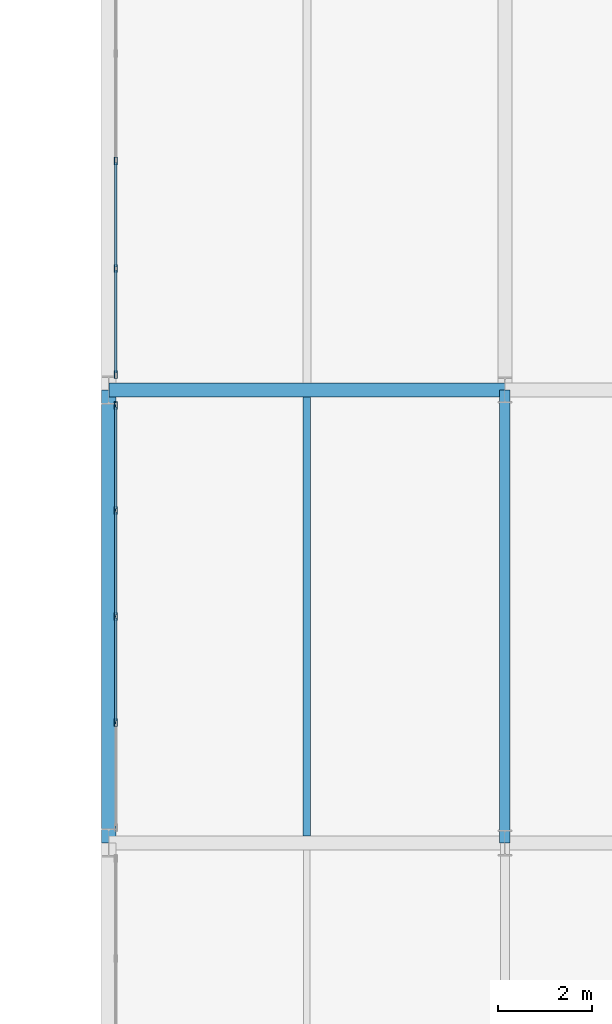
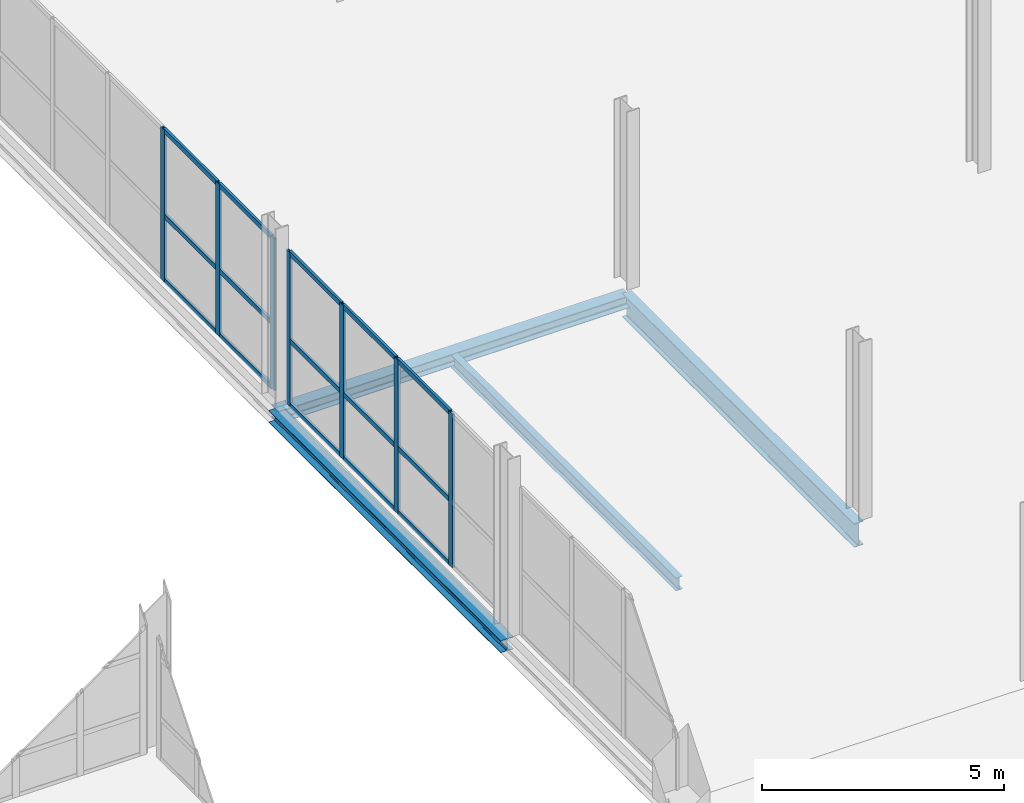
# One storey, part 29 of 109: 22 members, 4 beams, 2 elements without a shape of their own.
"""IFC4 building model written with IfcOpenShell, lengths in metres."""

import ifcopenshell
import ifcopenshell.guid

model = None  # the IFC model being written
_history = None  # IfcOwnerHistory: only IFC2X3 demands one
_inside = {}  # id of a spatial element -> (the spatial element, [elements in it])
_under = {}  # id of a project, library or spatial element -> (it, [spatial elements below it])
_declared = {}  # id of a project -> (the project, [libraries it declares])
_typed = {}  # id of a type object -> (the type object, [elements of that type])
_made_of = {}  # id of a material, layer set ... -> (it, [elements and type objects made of it])


def new_model(schema):
    """Start an empty IFC model of exactly this schema.

    Asked for "IFC4X3", IfcOpenShell would pick the latest addendum, in which some entities
    have other attributes; the version numbers below select the first issue.
    IFC2X3 requires an IfcOwnerHistory on every rooted entity: one is made here for all.
    """
    global model, _history
    if schema == "IFC4X3":
        model = ifcopenshell.file(schema_version=(4, 3, 0, 0))
    else:
        model = ifcopenshell.file(schema=schema)
    _inside.clear()
    _under.clear()
    _declared.clear()
    _typed.clear()
    _made_of.clear()
    _history = None
    if model.schema == "IFC2X3":
        org = make("IfcOrganization", Name="unknown")
        user = make(
            "IfcPersonAndOrganization",
            ThePerson=make("IfcPerson", FamilyName="unknown"),
            TheOrganization=org,
        )
        app = make(
            "IfcApplication",
            ApplicationDeveloper=org,
            Version="unknown",
            ApplicationFullName="unknown",
            ApplicationIdentifier="unknown",
        )
        _history = make(
            "IfcOwnerHistory",
            OwningUser=user,
            OwningApplication=app,
            ChangeAction="ADDED",
            CreationDate=0,
        )
    return model


def make(cls, **values):
    """One entity of the class cls with the attributes given. An attribute that is None is left unset."""
    return model.create_entity(
        cls, **{name: value for name, value in values.items() if value is not None}
    )


def rooted(cls, **values):
    """An entity with a GlobalId (a new one), such as an element, a storey or a relation."""
    return make(cls, GlobalId=ifcopenshell.guid.new(), OwnerHistory=_history, **values)


def si_unit(unit_type, name, prefix=None):
    """IfcSIUnit, for example si_unit("LENGTHUNIT", "METRE", prefix="MILLI")."""
    return make("IfcSIUnit", UnitType=unit_type, Prefix=prefix, Name=name)


def assignment(units):
    """IfcUnitAssignment: the units of a project."""
    return None if units is None else make("IfcUnitAssignment", Units=units)


def point(xyz):
    """IfcCartesianPoint."""
    return None if xyz is None else make("IfcCartesianPoint", Coordinates=xyz)


def direction(xyz):
    """IfcDirection."""
    return None if xyz is None else make("IfcDirection", DirectionRatios=xyz)


def frame(location, z_axis=None, x_axis=None):
    """IfcAxis2Placement3D, a coordinate frame: its origin and axes. An axis left out is left unset."""
    return make(
        "IfcAxis2Placement3D",
        Location=point(location),
        Axis=direction(z_axis),
        RefDirection=direction(x_axis),
    )


def frame_2d(location, x_axis=None):
    """IfcAxis2Placement2D, a coordinate frame in the plane: its origin and x axis."""
    return make(
        "IfcAxis2Placement2D", Location=point(location), RefDirection=direction(x_axis)
    )


def origin():
    """The frame at (0, 0, 0) with its axes left unset."""
    return frame((0.0, 0.0, 0.0))


def origin_2d():
    """The frame at (0, 0) in the plane with its x axis left unset."""
    return frame_2d((0.0, 0.0))


def place(relative_to, where):
    """IfcLocalPlacement: puts the frame where relative to a parent placement (None: the world)."""
    return make(
        "IfcLocalPlacement", PlacementRelTo=relative_to, RelativePlacement=where
    )


def context(
    kind, dimensions, precision=None, world=None, true_north=None, identifier=None
):
    """IfcGeometricRepresentationContext, for example the 3D "Model" context."""
    return make(
        "IfcGeometricRepresentationContext",
        ContextIdentifier=identifier,
        ContextType=kind,
        CoordinateSpaceDimension=dimensions,
        Precision=precision,
        WorldCoordinateSystem=world,
        TrueNorth=true_north,
    )


def subcontext(parent, identifier, kind, view, scale=None):
    """IfcGeometricRepresentationSubContext, for example "Body" below "Model"."""
    return make(
        "IfcGeometricRepresentationSubContext",
        ContextIdentifier=identifier,
        ContextType=kind,
        ParentContext=parent,
        TargetScale=scale,
        TargetView=view,
    )


def project(units=None, contexts=None):
    """IfcProject with its units and contexts."""
    return rooted(
        "IfcProject",
        Name="project",
        RepresentationContexts=contexts,
        UnitsInContext=assignment(units),
    )


def spatial(cls, under=None, at=None, **own):
    """A site, building, storey or space (cls), placed at a placement, below another one or the project."""
    s = rooted(cls, ObjectPlacement=at, **own)
    if under is not None:
        _under.setdefault(under.id(), (under, []))[1].append(s)
    return s


def profile(cls, at=None, kind="AREA", **sizes):
    """A parametric profile (cls). Its sizes go by their IFC names, for example OverallWidth=200.0."""
    return make(cls, ProfileType=kind, Position=at, **sizes)


def hollow_rectangle(**sizes):
    """IfcRectangleHollowProfileDef."""
    return profile("IfcRectangleHollowProfileDef", **sizes)


def i_section(**sizes):
    """IfcIShapeProfileDef."""
    return profile("IfcIShapeProfileDef", **sizes)


def extrude(swept, where, along, depth):
    """IfcExtrudedAreaSolid: the profile swept, set in the frame where, extruded along a direction by depth."""
    return make(
        "IfcExtrudedAreaSolid",
        SweptArea=swept,
        Position=where,
        ExtrudedDirection=direction(along),
        Depth=depth,
    )


def shape(context_of_items, identifier, shape_type, items):
    """IfcShapeRepresentation: the items that make up one representation, for example the "Body"."""
    return make(
        "IfcShapeRepresentation",
        ContextOfItems=context_of_items,
        RepresentationIdentifier=identifier,
        RepresentationType=shape_type,
        Items=items,
    )


def material(Name=None, Category=None):
    """IfcMaterial."""
    return make("IfcMaterial", Name=Name, Category=Category)


def material_profile(
    of_material, cross_section, Name=None, Category=None, Priority=None
):
    """IfcMaterialProfile: a cross section and its material."""
    return make(
        "IfcMaterialProfile",
        Name=Name,
        Material=of_material,
        Profile=cross_section,
        Priority=Priority,
        Category=Category,
    )


def profile_set(profiles, Name=None, composite=None):
    """IfcMaterialProfileSet."""
    return make(
        "IfcMaterialProfileSet",
        Name=Name,
        MaterialProfiles=profiles,
        CompositeProfile=composite,
    )


def made_of(thing, what):
    """Note that an element or type object is made of a material, layer set ...; save() writes the relation."""
    if what is not None:
        _made_of.setdefault(what.id(), (what, []))[1].append(thing)
    return thing


def type_object(cls, material=None, **own):
    """A type object (cls), such as IfcWallType, which elements share."""
    return made_of(rooted(cls, **own), material)


def element(
    cls,
    number,
    at=None,
    inside=None,
    cuts=None,
    type_object=None,
    material=None,
    context=None,
    identifier="Body",
    shape_type=None,
    held_by="IfcProductDefinitionShape",
    body=None,
    shapes=None,
    **own,
):
    """One element of the class cls, such as IfcWall. Its Tag is "e" and its number.

    at: its placement. inside: the storey or other place that contains it. cuts: it is an
    opening in that element (IfcRelVoidsElement). A single representation is given by context,
    identifier, shape_type and body (its items); several are given by shapes. held_by: the class
    of the entity that holds the representations. save() writes the other relations.
    """
    e = rooted(cls, Tag="e%d" % number, ObjectPlacement=at, **own)
    if body is not None:
        shapes = [shape(context, identifier, shape_type, body)]
    if shapes is not None:
        e.Representation = make(held_by, Representations=shapes)
    if inside is not None:
        _inside.setdefault(inside.id(), (inside, []))[1].append(e)
    if cuts is not None:
        rooted(
            "IfcRelVoidsElement", RelatingBuildingElement=cuts, RelatedOpeningElement=e
        )
    if type_object is not None:
        _typed.setdefault(type_object.id(), (type_object, []))[1].append(e)
    return made_of(e, material)


def aggregate(whole, parts):
    """IfcRelAggregates: a whole, such as a stair, and the parts it consists of."""
    return rooted("IfcRelAggregates", RelatingObject=whole, RelatedObjects=parts)


def save(model, path):
    """Write the relations noted so far, then the file.

    IfcRelAggregates (storeys below a building ...), IfcRelContainedInSpatialStructure (elements
    in a storey), IfcRelDefinesByType, IfcRelAssociatesMaterial and IfcRelDeclares: one each for
    every whole, place, type object, material and project.
    """
    for whole, parts in _under.values():
        aggregate(whole, parts)
    for where, things in _inside.values():
        rooted(
            "IfcRelContainedInSpatialStructure",
            RelatedElements=things,
            RelatingStructure=where,
        )
    for kind, things in _typed.values():
        rooted("IfcRelDefinesByType", RelatedObjects=things, RelatingType=kind)
    for what, things in _made_of.values():
        rooted("IfcRelAssociatesMaterial", RelatedObjects=things, RelatingMaterial=what)
    for by, libraries in _declared.values():
        rooted("IfcRelDeclares", RelatingContext=by, RelatedDefinitions=libraries)
    model.write(path)


model = new_model("IFC4")

# Units and contexts
model_context = context("Model", 3, precision=1e-05, world=origin(), true_north=direction((0.0, 1.0)))
body_context = subcontext(model_context, "Body", "Model", "MODEL_VIEW")
ifc_project = project(units=[si_unit("LENGTHUNIT", "METRE"), si_unit("AREAUNIT", "SQUARE_METRE"), si_unit("VOLUMEUNIT", "CUBIC_METRE"), si_unit("PLANEANGLEUNIT", "RADIAN"), si_unit("MASSUNIT", "GRAM", prefix="KILO")], contexts=[model_context])

# Site, building, storey
site_placement = place(None, origin())
site = spatial("IfcSite", under=ifc_project, at=site_placement, CompositionType="ELEMENT")
building_placement = place(site_placement, origin())
building = spatial("IfcBuilding", under=site, at=building_placement, Name="Veltarok Museum of Natural Sciences", CompositionType="ELEMENT")
storey_placement = place(building_placement, frame((0.0, 0.0, 17.39990234375)))
storey = spatial("IfcBuildingStorey", under=building, at=storey_placement, Name="L03", CompositionType="ELEMENT", Elevation=17.39990234375)

# Curtain wall, members
ifc_material_1 = material(Name="Low-iron triple insulated glass", Category="glass")
curtain_wall_type_1 = type_object("IfcCurtainWallType", Name="Curtain Wall System CW-V2W-L03-0-900x388 (CW-V2W L03 900x388cm)", PredefinedType="NOTDEFINED", material=ifc_material_1)
curtain_wall_1_placement = place(storey_placement, origin())
curtain_wall_1 = element("IfcCurtainWall", 1, at=curtain_wall_1_placement, inside=storey, type_object=curtain_wall_type_1, Name="Curtain Wall CW-V2W-L03-0-900x388 CW-0144", PredefinedType="NOTDEFINED")
ifc_material_2 = material(Name="Thermally broken anodised aluminium", Category="aluminium")
ifc_material_profile_1 = material_profile(ifc_material_2, hollow_rectangle(XDim=0.06005859375, YDim=0.1201171875, WallThickness=0.0048828125, at=origin_2d()), Name="CW TRANSOM 60x120x5")
ifc_profile_set_1 = profile_set([ifc_material_profile_1], Name="Thermally broken anodised aluminium")
member_type_1 = type_object("IfcMemberType", Name="Curtain Wall Horizontal Transom 60x120x5", PredefinedType="USERDEFINED", material=ifc_profile_set_1)
member_1_placement = place(storey_placement, frame((40.14990234375, 28.97998046875, 0.028076171875), z_axis=(0.0, 1.0, 0.0), x_axis=(-1.0, 0.0, 0.0)))
member_1 = element("IfcMember", 2, at=member_1_placement, type_object=member_type_1, Name="CW-V2W-L03-0-900x388 transom 2.1", ObjectType="TRANSOM", PredefinedType="USERDEFINED", context=body_context, shape_type="SweptSolid", body=[
    extrude(hollow_rectangle(XDim=0.06005859375, YDim=0.1201171875, WallThickness=0.0048828125, at=origin_2d()), origin(), (0.0, 0.0, 1.0), 2.18994140625),
])
member_2_placement = place(storey_placement, frame((40.14990234375, 28.97998046875, 1.648193359375), z_axis=(0.0, 1.0, 0.0), x_axis=(-1.0, 0.0, 0.0)))
member_2 = element("IfcMember", 3, at=member_2_placement, type_object=member_type_1, Name="CW-V2W-L03-0-900x388 transom 2.2", ObjectType="TRANSOM", PredefinedType="USERDEFINED", context=body_context, shape_type="SweptSolid", body=[
    extrude(hollow_rectangle(XDim=0.06005859375, YDim=0.1201171875, WallThickness=0.0048828125, at=origin_2d()), origin(), (0.0, 0.0, 1.0), 2.18994140625),
])
member_3_placement = place(storey_placement, frame((40.14990234375, 28.97998046875, 3.85009765625), z_axis=(0.0, 1.0, 0.0), x_axis=(-1.0, 0.0, 0.0)))
member_3 = element("IfcMember", 4, at=member_3_placement, type_object=member_type_1, Name="CW-V2W-L03-0-900x388 transom 2.3", ObjectType="TRANSOM", PredefinedType="USERDEFINED", context=body_context, shape_type="SweptSolid", body=[
    extrude(hollow_rectangle(XDim=0.06005859375, YDim=0.1201171875, WallThickness=0.0048828125, at=origin_2d()), origin(), (0.0, 0.0, 1.0), 2.18994140625),
])
member_4_placement = place(storey_placement, frame((40.14990234375, 31.22998046875, 0.028076171875), z_axis=(0.0, 1.0, 0.0), x_axis=(-1.0, 0.0, 0.0)))
member_4 = element("IfcMember", 5, at=member_4_placement, type_object=member_type_1, Name="CW-V2W-L03-0-900x388 transom 3.1", ObjectType="TRANSOM", PredefinedType="USERDEFINED", context=body_context, shape_type="SweptSolid", body=[
    extrude(hollow_rectangle(XDim=0.06005859375, YDim=0.1201171875, WallThickness=0.0048828125, at=origin_2d()), origin(), (0.0, 0.0, 1.0), 2.18994140625),
])
member_5_placement = place(storey_placement, frame((40.14990234375, 31.22998046875, 1.648193359375), z_axis=(0.0, 1.0, 0.0), x_axis=(-1.0, 0.0, 0.0)))
member_5 = element("IfcMember", 6, at=member_5_placement, type_object=member_type_1, Name="CW-V2W-L03-0-900x388 transom 3.2", ObjectType="TRANSOM", PredefinedType="USERDEFINED", context=body_context, shape_type="SweptSolid", body=[
    extrude(hollow_rectangle(XDim=0.06005859375, YDim=0.1201171875, WallThickness=0.0048828125, at=origin_2d()), origin(), (0.0, 0.0, 1.0), 2.18994140625),
])
member_6_placement = place(storey_placement, frame((40.14990234375, 31.22998046875, 3.85009765625), z_axis=(0.0, 1.0, 0.0), x_axis=(-1.0, 0.0, 0.0)))
member_6 = element("IfcMember", 7, at=member_6_placement, type_object=member_type_1, Name="CW-V2W-L03-0-900x388 transom 3.3", ObjectType="TRANSOM", PredefinedType="USERDEFINED", context=body_context, shape_type="SweptSolid", body=[
    extrude(hollow_rectangle(XDim=0.06005859375, YDim=0.1201171875, WallThickness=0.0048828125, at=origin_2d()), origin(), (0.0, 0.0, 1.0), 2.18994140625),
])
member_7_placement = place(storey_placement, frame((40.14990234375, 33.47998046875, 0.028076171875), z_axis=(0.0, 1.0, 0.0), x_axis=(-1.0, 0.0, 0.0)))
member_7 = element("IfcMember", 8, at=member_7_placement, type_object=member_type_1, Name="CW-V2W-L03-0-900x388 transom 4.1", ObjectType="TRANSOM", PredefinedType="USERDEFINED", context=body_context, shape_type="SweptSolid", body=[
    extrude(hollow_rectangle(XDim=0.06005859375, YDim=0.1201171875, WallThickness=0.0048828125, at=origin_2d()), origin(), (0.0, 0.0, 1.0), 2.159912109375),
])
member_8_placement = place(storey_placement, frame((40.14990234375, 33.47998046875, 1.648193359375), z_axis=(0.0, 1.0, 0.0), x_axis=(-1.0, 0.0, 0.0)))
member_8 = element("IfcMember", 9, at=member_8_placement, type_object=member_type_1, Name="CW-V2W-L03-0-900x388 transom 4.2", ObjectType="TRANSOM", PredefinedType="USERDEFINED", context=body_context, shape_type="SweptSolid", body=[
    extrude(hollow_rectangle(XDim=0.06005859375, YDim=0.1201171875, WallThickness=0.0048828125, at=origin_2d()), origin(), (0.0, 0.0, 1.0), 2.159912109375),
])
member_9_placement = place(storey_placement, frame((40.14990234375, 33.47998046875, 3.85009765625), z_axis=(0.0, 1.0, 0.0), x_axis=(-1.0, 0.0, 0.0)))
member_9 = element("IfcMember", 10, at=member_9_placement, type_object=member_type_1, Name="CW-V2W-L03-0-900x388 transom 4.3", ObjectType="TRANSOM", PredefinedType="USERDEFINED", context=body_context, shape_type="SweptSolid", body=[
    extrude(hollow_rectangle(XDim=0.06005859375, YDim=0.1201171875, WallThickness=0.0048828125, at=origin_2d()), origin(), (0.0, 0.0, 1.0), 2.159912109375),
])

curtain_wall_type_2 = type_object("IfcCurtainWallType", Name="Curtain Wall System CW-V2W-L03-1-1140x383 (CW-V2W L03 1140x383cm)", PredefinedType="NOTDEFINED", material=ifc_material_1)
curtain_wall_2_placement = place(storey_placement, origin())
curtain_wall_2 = element("IfcCurtainWall", 11, at=curtain_wall_2_placement, inside=storey, type_object=curtain_wall_type_2, Name="Curtain Wall CW-V2W-L03-1-1140x383 CW-0145", PredefinedType="NOTDEFINED")
member_10_placement = place(storey_placement, frame((40.14990234375, 36.360107421875, 0.028076171875), z_axis=(0.0, 1.0, 0.0), x_axis=(-1.0, 0.0, 0.0)))
member_10 = element("IfcMember", 12, at=member_10_placement, type_object=member_type_1, Name="CW-V2W-L03-1-1140x383 transom 1.1", ObjectType="TRANSOM", PredefinedType="USERDEFINED", context=body_context, shape_type="SweptSolid", body=[
    extrude(hollow_rectangle(XDim=0.06005859375, YDim=0.1201171875, WallThickness=0.0048828125, at=origin_2d()), origin(), (0.0, 0.0, 1.0), 2.18994140625),
])
member_11_placement = place(storey_placement, frame((40.14990234375, 36.360107421875, 1.648193359375), z_axis=(0.0, 1.0, 0.0), x_axis=(-1.0, 0.0, 0.0)))
member_11 = element("IfcMember", 13, at=member_11_placement, type_object=member_type_1, Name="CW-V2W-L03-1-1140x383 transom 1.2", ObjectType="TRANSOM", PredefinedType="USERDEFINED", context=body_context, shape_type="SweptSolid", body=[
    extrude(hollow_rectangle(XDim=0.06005859375, YDim=0.1201171875, WallThickness=0.0048828125, at=origin_2d()), origin(), (0.0, 0.0, 1.0), 2.18994140625),
])
member_12_placement = place(storey_placement, frame((40.14990234375, 36.360107421875, 3.800048828125), z_axis=(0.0, 1.0, 0.0), x_axis=(-1.0, 0.0, 0.0)))
member_12 = element("IfcMember", 14, at=member_12_placement, type_object=member_type_1, Name="CW-V2W-L03-1-1140x383 transom 1.3", ObjectType="TRANSOM", PredefinedType="USERDEFINED", context=body_context, shape_type="SweptSolid", body=[
    extrude(hollow_rectangle(XDim=0.06005859375, YDim=0.1201171875, WallThickness=0.0048828125, at=origin_2d()), origin(), (0.0, 0.0, 1.0), 2.18994140625),
])
member_13_placement = place(storey_placement, frame((40.14990234375, 38.610107421875, 0.028076171875), z_axis=(0.0, 1.0, 0.0), x_axis=(-1.0, 0.0, 0.0)))
member_13 = element("IfcMember", 15, at=member_13_placement, type_object=member_type_1, Name="CW-V2W-L03-1-1140x383 transom 2.1", ObjectType="TRANSOM", PredefinedType="USERDEFINED", context=body_context, shape_type="SweptSolid", body=[
    extrude(hollow_rectangle(XDim=0.06005859375, YDim=0.1201171875, WallThickness=0.0048828125, at=origin_2d()), origin(), (0.0, 0.0, 1.0), 2.219970703125),
])
member_14_placement = place(storey_placement, frame((40.14990234375, 38.610107421875, 1.648193359375), z_axis=(0.0, 1.0, 0.0), x_axis=(-1.0, 0.0, 0.0)))
member_14 = element("IfcMember", 16, at=member_14_placement, type_object=member_type_1, Name="CW-V2W-L03-1-1140x383 transom 2.2", ObjectType="TRANSOM", PredefinedType="USERDEFINED", context=body_context, shape_type="SweptSolid", body=[
    extrude(hollow_rectangle(XDim=0.06005859375, YDim=0.1201171875, WallThickness=0.0048828125, at=origin_2d()), origin(), (0.0, 0.0, 1.0), 2.219970703125),
])
member_15_placement = place(storey_placement, frame((40.14990234375, 38.610107421875, 3.800048828125), z_axis=(0.0, 1.0, 0.0), x_axis=(-1.0, 0.0, 0.0)))
member_15 = element("IfcMember", 17, at=member_15_placement, type_object=member_type_1, Name="CW-V2W-L03-1-1140x383 transom 2.3", ObjectType="TRANSOM", PredefinedType="USERDEFINED", context=body_context, shape_type="SweptSolid", body=[
    extrude(hollow_rectangle(XDim=0.06005859375, YDim=0.1201171875, WallThickness=0.0048828125, at=origin_2d()), origin(), (0.0, 0.0, 1.0), 2.219970703125),
])

# Member
ifc_material_profile_2 = material_profile(ifc_material_2, hollow_rectangle(XDim=0.06005859375, YDim=0.159912109375, WallThickness=0.0048828125, at=origin_2d()), Name="CW MULLION 60x160x5")
ifc_profile_set_2 = profile_set([ifc_material_profile_2], Name="Thermally broken anodised aluminium")
member_type_2 = type_object("IfcMemberType", Name="Curtain Wall Vertical Mullion 60x160x5", PredefinedType="MULLION", material=ifc_profile_set_2)
member_16_placement = place(storey_placement, frame((40.14990234375, 28.949951171875, -0.001953125), z_axis=(0.0, 0.0, 1.0), x_axis=(-1.0, 0.0, 0.0)))
member_16 = element("IfcMember", 18, at=member_16_placement, type_object=member_type_2, Name="CW-V2W-L03-0-900x388 mullion 2", PredefinedType="MULLION", context=body_context, shape_type="SweptSolid", body=[
    extrude(hollow_rectangle(XDim=0.06005859375, YDim=0.159912109375, WallThickness=0.0048828125, at=origin_2d()), origin(), (0.0, 0.0, 1.0), 3.882080078125),
])

member_17_placement = place(storey_placement, frame((40.14990234375, 31.199951171875, -0.001953125), z_axis=(0.0, 0.0, 1.0), x_axis=(-1.0, 0.0, 0.0)))
member_17 = element("IfcMember", 19, at=member_17_placement, type_object=member_type_2, Name="CW-V2W-L03-0-900x388 mullion 3", PredefinedType="MULLION", context=body_context, shape_type="SweptSolid", body=[
    extrude(hollow_rectangle(XDim=0.06005859375, YDim=0.159912109375, WallThickness=0.0048828125, at=origin_2d()), origin(), (0.0, 0.0, 1.0), 3.882080078125),
])

member_18_placement = place(storey_placement, frame((40.14990234375, 33.449951171875, -0.001953125), z_axis=(0.0, 0.0, 1.0), x_axis=(-1.0, 0.0, 0.0)))
member_18 = element("IfcMember", 20, at=member_18_placement, type_object=member_type_2, Name="CW-V2W-L03-0-900x388 mullion 4", PredefinedType="MULLION", context=body_context, shape_type="SweptSolid", body=[
    extrude(hollow_rectangle(XDim=0.06005859375, YDim=0.159912109375, WallThickness=0.0048828125, at=origin_2d()), origin(), (0.0, 0.0, 1.0), 3.882080078125),
])

member_19_placement = place(storey_placement, frame((40.14990234375, 35.669921875, -0.001953125), z_axis=(0.0, 0.0, 1.0), x_axis=(-1.0, 0.0, 0.0)))
member_19 = element("IfcMember", 21, at=member_19_placement, type_object=member_type_2, Name="CW-V2W-L03-0-900x388 mullion 5", PredefinedType="MULLION", context=body_context, shape_type="SweptSolid", body=[
    extrude(hollow_rectangle(XDim=0.06005859375, YDim=0.159912109375, WallThickness=0.0048828125, at=origin_2d()), origin(), (0.0, 0.0, 1.0), 3.882080078125),
])

aggregate(curtain_wall_1, [member_16, member_17, member_18, member_19, member_1, member_2, member_3, member_4, member_5, member_6, member_7, member_8, member_9])

member_20_placement = place(storey_placement, frame((40.14990234375, 36.330078125, -0.001953125), z_axis=(0.0, 0.0, 1.0), x_axis=(-1.0, 0.0, 0.0)))
member_20 = element("IfcMember", 22, at=member_20_placement, type_object=member_type_2, Name="CW-V2W-L03-1-1140x383 mullion 1", PredefinedType="MULLION", context=body_context, shape_type="SweptSolid", body=[
    extrude(hollow_rectangle(XDim=0.06005859375, YDim=0.159912109375, WallThickness=0.0048828125, at=origin_2d()), origin(), (0.0, 0.0, 1.0), 3.83203125),
])

member_21_placement = place(storey_placement, frame((40.14990234375, 38.580078125, -0.001953125), z_axis=(0.0, 0.0, 1.0), x_axis=(-1.0, 0.0, 0.0)))
member_21 = element("IfcMember", 23, at=member_21_placement, type_object=member_type_2, Name="CW-V2W-L03-1-1140x383 mullion 2", PredefinedType="MULLION", context=body_context, shape_type="SweptSolid", body=[
    extrude(hollow_rectangle(XDim=0.06005859375, YDim=0.159912109375, WallThickness=0.0048828125, at=origin_2d()), origin(), (0.0, 0.0, 1.0), 3.83203125),
])

member_22_placement = place(storey_placement, frame((40.14990234375, 40.860107421875, -0.001953125), z_axis=(0.0, 0.0, 1.0), x_axis=(-1.0, 0.0, 0.0)))
member_22 = element("IfcMember", 24, at=member_22_placement, type_object=member_type_2, Name="CW-V2W-L03-1-1140x383 mullion 3", PredefinedType="MULLION", context=body_context, shape_type="SweptSolid", body=[
    extrude(hollow_rectangle(XDim=0.06005859375, YDim=0.159912109375, WallThickness=0.0048828125, at=origin_2d()), origin(), (0.0, 0.0, 1.0), 3.83203125),
])

aggregate(curtain_wall_2, [member_20, member_21, member_22, member_10, member_11, member_12, member_13, member_14, member_15])

# Beams
ifc_material_3 = material(Name="Steel S355J2", Category="steel")
ifc_material_profile_3 = material_profile(ifc_material_3, i_section(OverallWidth=0.159912109375, OverallDepth=0.330078125, WebThickness=0.007568359375, FlangeThickness=0.011474609375, FilletRadius=0.01806640625, at=origin_2d()), Name="IPE 330")
ifc_profile_set_3 = profile_set([ifc_material_profile_3], Name="Steel S355J2")
beam_type_1 = type_object("IfcBeamType", Name="Medium-Bay Composite Joist IPE 330", PredefinedType="JOIST", material=ifc_profile_set_3)
beam_1_placement = place(storey_placement, frame((44.199951171875, 26.548095703125, -0.414794921875), z_axis=(0.0, 1.0, 0.0), x_axis=(-1.0, 0.0, 0.0)))
element("IfcBeam", 25, at=beam_1_placement, inside=storey, type_object=beam_type_1, Name="Secondary Joist BM-J02 L03 5-6/D-E.1", PredefinedType="JOIST", context=body_context, shape_type="SweptSolid", body=[
    extrude(i_section(OverallWidth=0.159912109375, OverallDepth=0.330078125, WebThickness=0.007568359375, FlangeThickness=0.011474609375, FilletRadius=0.01806640625, at=origin_2d()), origin(), (0.0, 0.0, 1.0), 9.303955078125),
])
ifc_material_profile_4 = material_profile(ifc_material_3, i_section(OverallWidth=0.300048828125, OverallDepth=0.31005859375, WebThickness=0.009033203125, FlangeThickness=0.015380859375, FilletRadius=0.027099609375, at=origin_2d()), Name="HEA 320")
ifc_profile_set_4 = profile_set([ifc_material_profile_4], Name="Steel S355J2")
beam_type_2 = type_object("IfcBeamType", Name="Perimeter Edge Spandrel HEA 320", PredefinedType="SPANDREL", material=ifc_profile_set_4)
beam_2_placement = place(storey_placement, frame((40.0, 36.0, -0.40478515625), z_axis=(1.0, 0.0, 0.0), x_axis=(0.0, 1.0, 0.0)))
element("IfcBeam", 26, at=beam_2_placement, inside=storey, type_object=beam_type_2, Name="Beam BM-SP04 L03 5-6/E", PredefinedType="SPANDREL", context=body_context, shape_type="SweptSolid", body=[
    extrude(i_section(OverallWidth=0.300048828125, OverallDepth=0.31005859375, WebThickness=0.009033203125, FlangeThickness=0.015380859375, FilletRadius=0.027099609375, at=origin_2d()), origin(), (0.0, 0.0, 1.0), 8.39990234375),
])
beam_3_placement = place(storey_placement, frame((40.0, 26.39990234375, -0.40478515625), z_axis=(0.0, 1.0, 0.0), x_axis=(-1.0, 0.0, 0.0)))
element("IfcBeam", 27, at=beam_3_placement, inside=storey, type_object=beam_type_2, Name="Beam BM-SP04 L03 5/D-E", PredefinedType="SPANDREL", context=body_context, shape_type="SweptSolid", body=[
    extrude(i_section(OverallWidth=0.300048828125, OverallDepth=0.31005859375, WebThickness=0.009033203125, FlangeThickness=0.015380859375, FilletRadius=0.027099609375, at=origin_2d()), origin(), (0.0, 0.0, 1.0), 9.60009765625),
])
ifc_material_profile_5 = material_profile(ifc_material_3, i_section(OverallWidth=0.219970703125, OverallDepth=0.60009765625, WebThickness=0.011962890625, FlangeThickness=0.01904296875, FilletRadius=0.02392578125, at=origin_2d()), Name="IPE 600")
ifc_profile_set_5 = profile_set([ifc_material_profile_5], Name="Steel S355J2")
beam_type_3 = type_object("IfcBeamType", Name="Primary Museum Girder IPE 600", PredefinedType="BEAM", material=ifc_profile_set_5)
beam_4_placement = place(storey_placement, frame((48.39990234375, 26.39990234375, -0.5498046875), z_axis=(0.0, 1.0, 0.0), x_axis=(-1.0, 0.0, 0.0)))
element("IfcBeam", 28, at=beam_4_placement, inside=storey, type_object=beam_type_3, Name="Beam BM-G02 L03 6/D-E", PredefinedType="BEAM", context=body_context, shape_type="SweptSolid", body=[
    extrude(i_section(OverallWidth=0.219970703125, OverallDepth=0.60009765625, WebThickness=0.011962890625, FlangeThickness=0.01904296875, FilletRadius=0.02392578125, at=origin_2d()), origin(), (0.0, 0.0, 1.0), 9.60009765625),
])

save(model, "model.ifc")
